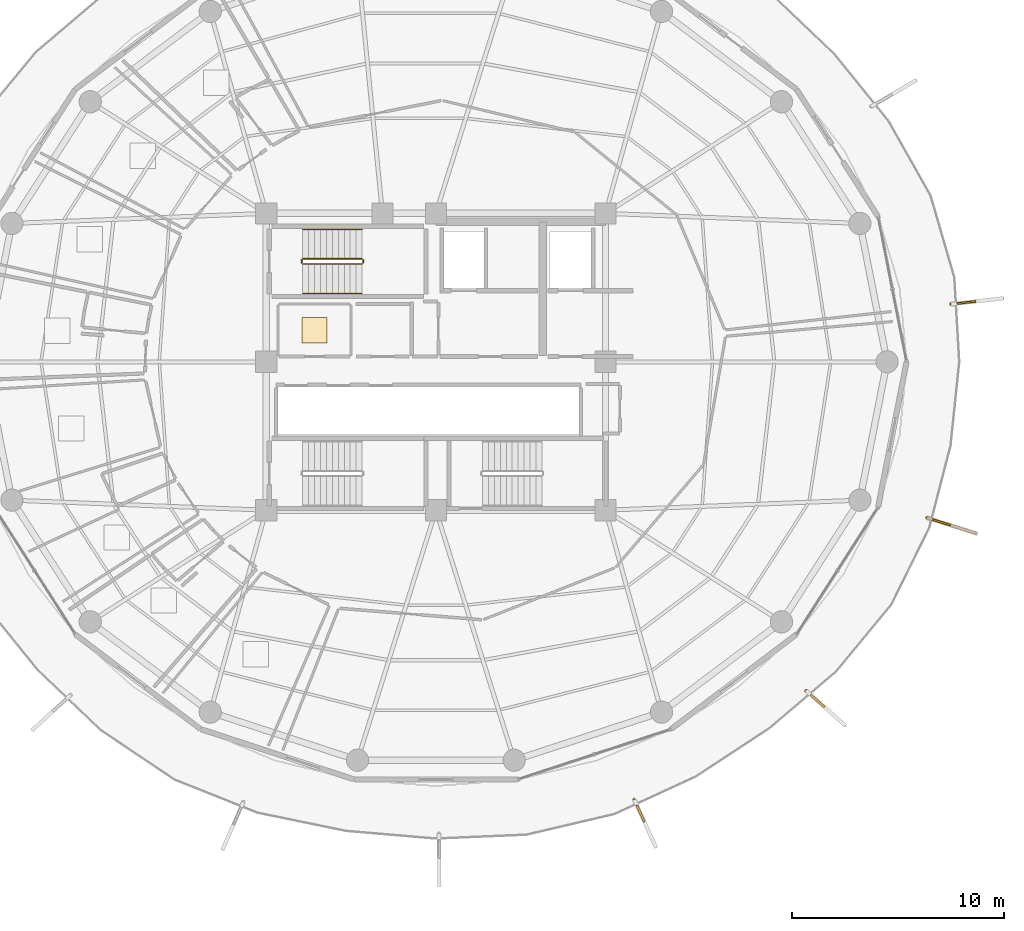
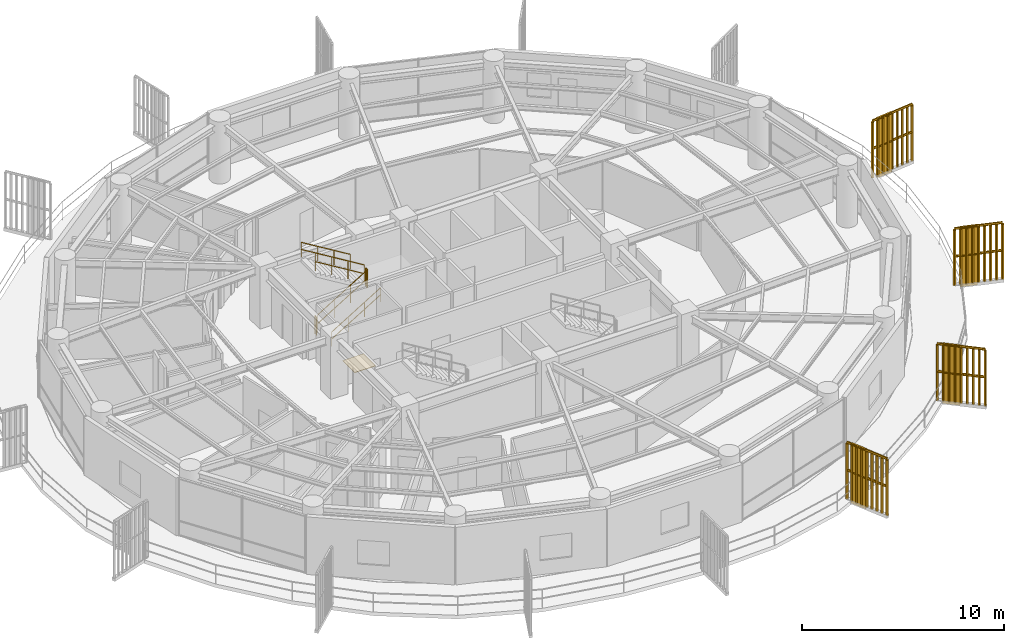
# One storey, part 30 of 31: 10 railings, 4 shading devices, 1 covering.
"""IFC4 building model written with IfcOpenShell, lengths in metres."""

from ifc_helpers import new_model, si_unit, direction, frame, origin, origin_2d, place, context, subcontext, project, spatial, polyline, rectangle, outline, extrude, source, transform, mapped, material, layer, layer_set, type_object, element, save


model = new_model("IFC4")

# Units and contexts
model_context = context("Model", 3, precision=1e-05, world=origin(), true_north=direction((0.0, 1.0)))
body_context = subcontext(model_context, "Body", "Model", "MODEL_VIEW")
ifc_project = project(units=[si_unit("LENGTHUNIT", "METRE"), si_unit("AREAUNIT", "SQUARE_METRE"), si_unit("VOLUMEUNIT", "CUBIC_METRE"), si_unit("PLANEANGLEUNIT", "RADIAN"), si_unit("MASSUNIT", "GRAM", prefix="KILO")], contexts=[model_context])

# Site, building, storey
site_placement = place(None, origin())
site = spatial("IfcSite", under=ifc_project, at=site_placement, CompositionType="ELEMENT")
building_placement = place(site_placement, origin())
building = spatial("IfcBuilding", under=site, at=building_placement, Name="Kelanora Arch Commons", CompositionType="ELEMENT")
storey_placement = place(building_placement, frame((0.0, 0.0, 230.699951171875)))
storey = spatial("IfcBuildingStorey", under=building, at=storey_placement, Name="L59", CompositionType="ELEMENT", Elevation=230.699951171875)

# Railings
ifc_material_1 = material(Name="Anodised bronze vertical shading fin rib assembly")
railing_type_1 = type_object("IfcRailingType", Name="RAIL-FIN-BRZ", PredefinedType="BALUSTRADE", material=ifc_material_1)
railing_1_placement = place(storey_placement, frame((91.463134765625, 42.484619140625, -0.02001953125)))
element("IfcRailing", 1, at=railing_1_placement, inside=storey, type_object=railing_type_1, Name="Sweeping Bronze Vertical Fin Blade L59-00", PredefinedType="BALUSTRADE", context=body_context, shape_type="SweptSolid", body=[
    extrude(outline(polyline([(0.06982421875, 0.0), (0.034912109375, 0.060546875), (-0.034912109375, 0.060546875), (-0.06982421875, 0.0), (-0.034912109375, -0.060546875), (0.034912109375, -0.060546875), (0.06982421875, 0.0)])), frame((0.0, 0.0, 3.419921875), z_axis=(0.747542401607, -0.664214090335, 0.0), x_axis=(0.664214090335, 0.747542401607, 0.0)), (0.0, 0.0, 1.0), 2.428955078125),
    extrude(outline(polyline([(0.06982421875, 0.0), (0.034912109375, 0.060546875), (-0.034912109375, 0.060546875), (-0.06982421875, 0.0), (-0.034912109375, -0.060546875), (0.034912109375, -0.060546875), (0.06982421875, 0.0)])), frame((0.0, 0.0, 1.7451171875), z_axis=(0.747542401607, -0.664214090335, 0.0), x_axis=(0.664214090335, 0.747542401607, 0.0)), (0.0, 0.0, 1.0), 2.428955078125),
    extrude(outline(polyline([(0.080078125, 0.0), (0.0400390625, 0.0693359375), (-0.0400390625, 0.0693359375), (-0.080078125, 0.0), (-0.0400390625, -0.0693359375), (0.0400390625, -0.0693359375), (0.080078125, 0.0)])), origin(), (0.0, 0.0, 1.0), 3.35009765625),
    extrude(outline(polyline([(0.080078125, 0.0), (0.0400390625, 0.0693359375), (-0.0400390625, 0.0693359375), (-0.080078125, 0.0), (-0.0400390625, -0.0693359375), (0.0400390625, -0.0693359375), (0.080078125, 0.0)])), frame((0.22705078125, -0.20166015625, 0.0)), (0.0, 0.0, 1.0), 3.35009765625),
    extrude(outline(polyline([(0.080078125, 0.0), (0.0400390625, 0.0693359375), (-0.0400390625, 0.0693359375), (-0.080078125, 0.0), (-0.0400390625, -0.0693359375), (0.0400390625, -0.0693359375), (0.080078125, 0.0)])), frame((0.453857421875, -0.4033203125, 0.0)), (0.0, 0.0, 1.0), 3.35009765625),
    extrude(outline(polyline([(0.080078125, 0.0), (0.0400390625, 0.0693359375), (-0.0400390625, 0.0693359375), (-0.080078125, 0.0), (-0.0400390625, -0.0693359375), (0.0400390625, -0.0693359375), (0.080078125, 0.0)])), frame((0.680908203125, -0.60498046875, 0.0)), (0.0, 0.0, 1.0), 3.35009765625),
    extrude(outline(polyline([(0.080078125, 0.0), (0.0400390625, 0.0693359375), (-0.0400390625, 0.0693359375), (-0.080078125, 0.0), (-0.0400390625, -0.0693359375), (0.0400390625, -0.0693359375), (0.080078125, 0.0)])), frame((0.90771484375, -0.806640625, 0.0)), (0.0, 0.0, 1.0), 3.35009765625),
    extrude(outline(polyline([(0.080078125, 0.0), (0.0400390625, 0.0693359375), (-0.0400390625, 0.0693359375), (-0.080078125, 0.0), (-0.0400390625, -0.0693359375), (0.0400390625, -0.0693359375), (0.080078125, 0.0)])), frame((1.134765625, -1.00830078125, 0.0)), (0.0, 0.0, 1.0), 3.35009765625),
    extrude(outline(polyline([(0.080078125, 0.0), (0.0400390625, 0.0693359375), (-0.0400390625, 0.0693359375), (-0.080078125, 0.0), (-0.0400390625, -0.0693359375), (0.0400390625, -0.0693359375), (0.080078125, 0.0)])), frame((1.36181640625, -1.2099609375, 0.0)), (0.0, 0.0, 1.0), 3.35009765625),
    extrude(outline(polyline([(0.080078125, 0.0), (0.0400390625, 0.0693359375), (-0.0400390625, 0.0693359375), (-0.080078125, 0.0), (-0.0400390625, -0.0693359375), (0.0400390625, -0.0693359375), (0.080078125, 0.0)])), frame((1.588623046875, -1.41162109375, 0.0)), (0.0, 0.0, 1.0), 3.35009765625),
    extrude(outline(polyline([(0.080078125, 0.0), (0.0400390625, 0.0693359375), (-0.0400390625, 0.0693359375), (-0.080078125, 0.0), (-0.0400390625, -0.0693359375), (0.0400390625, -0.0693359375), (0.080078125, 0.0)])), frame((1.815673828125, -1.61328125, 0.0)), (0.0, 0.0, 1.0), 3.35009765625),
])
railing_2_placement = place(storey_placement, frame((97.160888671875, 50.64404296875, -0.02001953125)))
element("IfcRailing", 2, at=railing_2_placement, inside=storey, type_object=railing_type_1, Name="Sweeping Bronze Vertical Fin Blade L59-01", PredefinedType="BALUSTRADE", context=body_context, shape_type="SweptSolid", body=[
    extrude(outline(polyline([(0.06982421875, 0.0), (0.034912109375, 0.060546875), (-0.034912109375, 0.060546875), (-0.06982421875, 0.0), (-0.034912109375, -0.060546875), (0.034912109375, -0.060546875), (0.06982421875, 0.0)])), frame((0.0, 0.0, 3.419921875), z_axis=(0.953070878139, -0.302747256376, 0.0), x_axis=(0.302747256376, 0.953070878139, 0.0)), (0.0, 0.0, 1.0), 2.428955078125),
    extrude(outline(polyline([(0.06982421875, 0.0), (0.034912109375, 0.060546875), (-0.034912109375, 0.060546875), (-0.06982421875, 0.0), (-0.034912109375, -0.060546875), (0.034912109375, -0.060546875), (0.06982421875, 0.0)])), frame((0.0, 0.0, 1.7451171875), z_axis=(0.953070878139, -0.302747256376, 0.0), x_axis=(0.302747256376, 0.953070878139, 0.0)), (0.0, 0.0, 1.0), 2.428955078125),
    extrude(outline(polyline([(0.080078125, 0.0), (0.0400390625, 0.0693359375), (-0.0400390625, 0.0693359375), (-0.080078125, 0.0), (-0.0400390625, -0.0693359375), (0.0400390625, -0.0693359375), (0.080078125, 0.0)])), origin(), (0.0, 0.0, 1.0), 3.35009765625),
    extrude(outline(polyline([(0.080078125, 0.0), (0.0400390625, 0.0693359375), (-0.0400390625, 0.0693359375), (-0.080078125, 0.0), (-0.0400390625, -0.0693359375), (0.0400390625, -0.0693359375), (0.080078125, 0.0)])), frame((0.289306640625, -0.091796875, 0.0)), (0.0, 0.0, 1.0), 3.35009765625),
    extrude(outline(polyline([(0.080078125, 0.0), (0.0400390625, 0.0693359375), (-0.0400390625, 0.0693359375), (-0.080078125, 0.0), (-0.0400390625, -0.0693359375), (0.0400390625, -0.0693359375), (0.080078125, 0.0)])), frame((0.57861328125, -0.183837890625, 0.0)), (0.0, 0.0, 1.0), 3.35009765625),
    extrude(outline(polyline([(0.080078125, 0.0), (0.0400390625, 0.0693359375), (-0.0400390625, 0.0693359375), (-0.080078125, 0.0), (-0.0400390625, -0.0693359375), (0.0400390625, -0.0693359375), (0.080078125, 0.0)])), frame((0.8681640625, -0.27587890625, 0.0)), (0.0, 0.0, 1.0), 3.35009765625),
    extrude(outline(polyline([(0.080078125, 0.0), (0.0400390625, 0.0693359375), (-0.0400390625, 0.0693359375), (-0.080078125, 0.0), (-0.0400390625, -0.0693359375), (0.0400390625, -0.0693359375), (0.080078125, 0.0)])), frame((1.157470703125, -0.36767578125, 0.0)), (0.0, 0.0, 1.0), 3.35009765625),
    extrude(outline(polyline([(0.080078125, 0.0), (0.0400390625, 0.0693359375), (-0.0400390625, 0.0693359375), (-0.080078125, 0.0), (-0.0400390625, -0.0693359375), (0.0400390625, -0.0693359375), (0.080078125, 0.0)])), frame((1.44677734375, -0.45947265625, 0.0)), (0.0, 0.0, 1.0), 3.35009765625),
    extrude(outline(polyline([(0.080078125, 0.0), (0.0400390625, 0.0693359375), (-0.0400390625, 0.0693359375), (-0.080078125, 0.0), (-0.0400390625, -0.0693359375), (0.0400390625, -0.0693359375), (0.080078125, 0.0)])), frame((1.736328125, -0.551513671875, 0.0)), (0.0, 0.0, 1.0), 3.35009765625),
    extrude(outline(polyline([(0.080078125, 0.0), (0.0400390625, 0.0693359375), (-0.0400390625, 0.0693359375), (-0.080078125, 0.0), (-0.0400390625, -0.0693359375), (0.0400390625, -0.0693359375), (0.080078125, 0.0)])), frame((2.025634765625, -0.6435546875, 0.0)), (0.0, 0.0, 1.0), 3.35009765625),
    extrude(outline(polyline([(0.080078125, 0.0), (0.0400390625, 0.0693359375), (-0.0400390625, 0.0693359375), (-0.080078125, 0.0), (-0.0400390625, -0.0693359375), (0.0400390625, -0.0693359375), (0.080078125, 0.0)])), frame((2.31494140625, -0.7353515625, 0.0)), (0.0, 0.0, 1.0), 3.35009765625),
])
railing_3_placement = place(storey_placement, frame((98.30078125, 60.71728515625, -0.02001953125)))
element("IfcRailing", 3, at=railing_3_placement, inside=storey, type_object=railing_type_1, Name="Sweeping Bronze Vertical Fin Blade L59-02", PredefinedType="BALUSTRADE", context=body_context, shape_type="SweptSolid", body=[
    extrude(outline(polyline([(0.06982421875, 0.0), (0.034912109375, 0.060546875), (-0.034912109375, 0.060546875), (-0.06982421875, 0.0), (-0.034912109375, -0.060546875), (0.034912109375, -0.060546875), (0.06982421875, 0.0)])), frame((0.0, 0.0, 3.419921875), z_axis=(0.993812431241, 0.111071380249, 0.0), x_axis=(-0.111071380249, 0.993812431241, 0.0)), (0.0, 0.0, 1.0), 2.428955078125),
    extrude(outline(polyline([(0.06982421875, 0.0), (0.034912109375, 0.060546875), (-0.034912109375, 0.060546875), (-0.06982421875, 0.0), (-0.034912109375, -0.060546875), (0.034912109375, -0.060546875), (0.06982421875, 0.0)])), frame((0.0, 0.0, 1.7451171875), z_axis=(0.993812431241, 0.111071380249, 0.0), x_axis=(-0.111071380249, 0.993812431241, 0.0)), (0.0, 0.0, 1.0), 2.428955078125),
    extrude(outline(polyline([(0.080078125, 0.0), (0.0400390625, 0.0693359375), (-0.0400390625, 0.0693359375), (-0.080078125, 0.0), (-0.0400390625, -0.0693359375), (0.0400390625, -0.0693359375), (0.080078125, 0.0)])), origin(), (0.0, 0.0, 1.0), 3.35009765625),
    extrude(outline(polyline([(0.080078125, 0.0), (0.0400390625, 0.0693359375), (-0.0400390625, 0.0693359375), (-0.080078125, 0.0), (-0.0400390625, -0.0693359375), (0.0400390625, -0.0693359375), (0.080078125, 0.0)])), frame((0.3017578125, 0.03369140625, 0.0)), (0.0, 0.0, 1.0), 3.35009765625),
    extrude(outline(polyline([(0.080078125, 0.0), (0.0400390625, 0.0693359375), (-0.0400390625, 0.0693359375), (-0.080078125, 0.0), (-0.0400390625, -0.0693359375), (0.0400390625, -0.0693359375), (0.080078125, 0.0)])), frame((0.603515625, 0.0673828125, 0.0)), (0.0, 0.0, 1.0), 3.35009765625),
    extrude(outline(polyline([(0.080078125, 0.0), (0.0400390625, 0.0693359375), (-0.0400390625, 0.0693359375), (-0.080078125, 0.0), (-0.0400390625, -0.0693359375), (0.0400390625, -0.0693359375), (0.080078125, 0.0)])), frame((0.9052734375, 0.10107421875, 0.0)), (0.0, 0.0, 1.0), 3.35009765625),
    extrude(outline(polyline([(0.080078125, 0.0), (0.0400390625, 0.0693359375), (-0.0400390625, 0.0693359375), (-0.080078125, 0.0), (-0.0400390625, -0.0693359375), (0.0400390625, -0.0693359375), (0.080078125, 0.0)])), frame((1.20703125, 0.134765625, 0.0)), (0.0, 0.0, 1.0), 3.35009765625),
    extrude(outline(polyline([(0.080078125, 0.0), (0.0400390625, 0.0693359375), (-0.0400390625, 0.0693359375), (-0.080078125, 0.0), (-0.0400390625, -0.0693359375), (0.0400390625, -0.0693359375), (0.080078125, 0.0)])), frame((1.508544921875, 0.168701171875, 0.0)), (0.0, 0.0, 1.0), 3.35009765625),
    extrude(outline(polyline([(0.080078125, 0.0), (0.0400390625, 0.0693359375), (-0.0400390625, 0.0693359375), (-0.080078125, 0.0), (-0.0400390625, -0.0693359375), (0.0400390625, -0.0693359375), (0.080078125, 0.0)])), frame((1.810302734375, 0.202392578125, 0.0)), (0.0, 0.0, 1.0), 3.35009765625),
    extrude(outline(polyline([(0.080078125, 0.0), (0.0400390625, 0.0693359375), (-0.0400390625, 0.0693359375), (-0.080078125, 0.0), (-0.0400390625, -0.0693359375), (0.0400390625, -0.0693359375), (0.080078125, 0.0)])), frame((2.112060546875, 0.236083984375, 0.0)), (0.0, 0.0, 1.0), 3.35009765625),
    extrude(outline(polyline([(0.080078125, 0.0), (0.0400390625, 0.0693359375), (-0.0400390625, 0.0693359375), (-0.080078125, 0.0), (-0.0400390625, -0.0693359375), (0.0400390625, -0.0693359375), (0.080078125, 0.0)])), frame((2.413818359375, 0.269775390625, 0.0)), (0.0, 0.0, 1.0), 3.35009765625),
])
railing_4_placement = place(storey_placement, frame((83.35791015625, 37.351806640625, -0.02001953125)))
element("IfcRailing", 4, at=railing_4_placement, inside=storey, type_object=railing_type_1, Name="Sweeping Bronze Vertical Fin Blade L59-14", PredefinedType="BALUSTRADE", context=body_context, shape_type="SweptSolid", body=[
    extrude(outline(polyline([(0.06982421875, 0.0), (0.034912109375, 0.060546875), (-0.034912109375, 0.060546875), (-0.06982421875, 0.0), (-0.034912109375, -0.060546875), (0.034912109375, -0.060546875), (0.06982421875, 0.0)])), frame((0.0, 0.0, 3.419921875), z_axis=(0.412712134996, -0.910861511772, 0.0), x_axis=(0.910861511772, 0.412712134996, 0.0)), (0.0, 0.0, 1.0), 2.428955078125),
    extrude(outline(polyline([(0.06982421875, 0.0), (0.034912109375, 0.060546875), (-0.034912109375, 0.060546875), (-0.06982421875, 0.0), (-0.034912109375, -0.060546875), (0.034912109375, -0.060546875), (0.06982421875, 0.0)])), frame((0.0, 0.0, 1.7451171875), z_axis=(0.412712134996, -0.910861511772, 0.0), x_axis=(0.910861511772, 0.412712134996, 0.0)), (0.0, 0.0, 1.0), 2.428955078125),
    extrude(outline(polyline([(0.080078125, 0.0), (0.0400390625, 0.0693359375), (-0.0400390625, 0.0693359375), (-0.080078125, 0.0), (-0.0400390625, -0.0693359375), (0.0400390625, -0.0693359375), (0.080078125, 0.0)])), origin(), (0.0, 0.0, 1.0), 3.35009765625),
    extrude(outline(polyline([(0.080078125, 0.0), (0.0400390625, 0.0693359375), (-0.0400390625, 0.0693359375), (-0.080078125, 0.0), (-0.0400390625, -0.0693359375), (0.0400390625, -0.0693359375), (0.080078125, 0.0)])), frame((0.125244140625, -0.276611328125, 0.0)), (0.0, 0.0, 1.0), 3.35009765625),
    extrude(outline(polyline([(0.080078125, 0.0), (0.0400390625, 0.0693359375), (-0.0400390625, 0.0693359375), (-0.080078125, 0.0), (-0.0400390625, -0.0693359375), (0.0400390625, -0.0693359375), (0.080078125, 0.0)])), frame((0.25048828125, -0.55322265625, 0.0)), (0.0, 0.0, 1.0), 3.35009765625),
    extrude(outline(polyline([(0.080078125, 0.0), (0.0400390625, 0.0693359375), (-0.0400390625, 0.0693359375), (-0.080078125, 0.0), (-0.0400390625, -0.0693359375), (0.0400390625, -0.0693359375), (0.080078125, 0.0)])), frame((0.3759765625, -0.82958984375, 0.0)), (0.0, 0.0, 1.0), 3.35009765625),
    extrude(outline(polyline([(0.080078125, 0.0), (0.0400390625, 0.0693359375), (-0.0400390625, 0.0693359375), (-0.080078125, 0.0), (-0.0400390625, -0.0693359375), (0.0400390625, -0.0693359375), (0.080078125, 0.0)])), frame((0.501220703125, -1.106201171875, 0.0)), (0.0, 0.0, 1.0), 3.35009765625),
    extrude(outline(polyline([(0.080078125, 0.0), (0.0400390625, 0.0693359375), (-0.0400390625, 0.0693359375), (-0.080078125, 0.0), (-0.0400390625, -0.0693359375), (0.0400390625, -0.0693359375), (0.080078125, 0.0)])), frame((0.62646484375, -1.3828125, 0.0)), (0.0, 0.0, 1.0), 3.35009765625),
    extrude(outline(polyline([(0.080078125, 0.0), (0.0400390625, 0.0693359375), (-0.0400390625, 0.0693359375), (-0.080078125, 0.0), (-0.0400390625, -0.0693359375), (0.0400390625, -0.0693359375), (0.080078125, 0.0)])), frame((0.751953125, -1.6591796875, 0.0)), (0.0, 0.0, 1.0), 3.35009765625),
    extrude(outline(polyline([(0.080078125, 0.0), (0.0400390625, 0.0693359375), (-0.0400390625, 0.0693359375), (-0.080078125, 0.0), (-0.0400390625, -0.0693359375), (0.0400390625, -0.0693359375), (0.080078125, 0.0)])), frame((0.877197265625, -1.935791015625, 0.0)), (0.0, 0.0, 1.0), 3.35009765625),
    extrude(outline(polyline([(0.080078125, 0.0), (0.0400390625, 0.0693359375), (-0.0400390625, 0.0693359375), (-0.080078125, 0.0), (-0.0400390625, -0.0693359375), (0.0400390625, -0.0693359375), (0.080078125, 0.0)])), frame((1.00244140625, -2.21240234375, 0.0)), (0.0, 0.0, 1.0), 3.35009765625),
])
ifc_material_2 = material(Name="Painted steel stair well guard", Category="steel")
railing_type_2 = type_object("IfcRailingType", Name="RAIL-STAIR-GRD", PredefinedType="GUARDRAIL", material=ifc_material_2)
railing_5_placement = place(storey_placement, frame((67.719970703125, 62.610107421875, 0.17041015625)))
element("IfcRailing", 5, at=railing_5_placement, inside=storey, type_object=railing_type_2, Name="L59 ST-T1 stair guard 1", PredefinedType="GUARDRAIL", context=body_context, shape_type="SweptSolid", body=[
    extrude(outline(polyline([(0.02392578125, 0.0), (0.011962890625, 0.020751953125), (-0.011962890625, 0.020751953125), (-0.02392578125, 0.0), (-0.011962890625, -0.020751953125), (0.011962890625, -0.020751953125), (0.02392578125, 0.0)])), frame((0.0, 0.0, 1.076171875), z_axis=(0.854169791009, 0.0, 0.51999420009), x_axis=(0.0, 1.0, 0.0)), (0.0, 0.0, 1.0), 3.278076171875),
    extrude(outline(polyline([(0.02392578125, 0.0), (0.011962890625, 0.020751953125), (-0.011962890625, 0.020751953125), (-0.02392578125, 0.0), (-0.011962890625, -0.020751953125), (0.011962890625, -0.020751953125), (0.02392578125, 0.0)])), frame((0.0, 0.0, 0.550048828125), z_axis=(0.854169791009, 0.0, 0.51999420009), x_axis=(0.0, 1.0, 0.0)), (0.0, 0.0, 1.0), 3.278076171875),
    extrude(outline(polyline([(0.02099609375, 0.0), (0.010498046875, 0.01806640625), (-0.010498046875, 0.01806640625), (-0.02099609375, 0.0), (-0.010498046875, -0.01806640625), (0.010498046875, -0.01806640625), (0.02099609375, 0.0)])), origin(), (0.0, 0.0, 1.0), 1.052001953125),
    extrude(outline(polyline([(0.02099609375, 0.0), (0.010498046875, 0.01806640625), (-0.010498046875, 0.01806640625), (-0.02099609375, 0.0), (-0.010498046875, -0.01806640625), (0.010498046875, -0.01806640625), (0.02099609375, 0.0)])), frame((0.933349609375, 0.0, 0.568115234375)), (0.0, 0.0, 1.0), 1.052001953125),
    extrude(outline(polyline([(0.02099609375, 0.0), (0.010498046875, 0.01806640625), (-0.010498046875, 0.01806640625), (-0.02099609375, 0.0), (-0.010498046875, -0.01806640625), (0.010498046875, -0.01806640625), (0.02099609375, 0.0)])), frame((1.86669921875, 0.0, 1.136474609375)), (0.0, 0.0, 1.0), 1.052001953125),
    extrude(outline(polyline([(0.02099609375, 0.0), (0.010498046875, 0.01806640625), (-0.010498046875, 0.01806640625), (-0.02099609375, 0.0), (-0.010498046875, -0.01806640625), (0.010498046875, -0.01806640625), (0.02099609375, 0.0)])), frame((2.800048828125, 0.0, 1.70458984375)), (0.0, 0.0, 1.0), 1.052001953125),
])
railing_6_placement = place(storey_placement, frame((70.570068359375, 62.659912109375, 1.875)))
element("IfcRailing", 6, at=railing_6_placement, inside=storey, type_object=railing_type_2, Name="L59 ST-T1 stair guard 2", PredefinedType="GUARDRAIL", context=body_context, shape_type="SweptSolid", body=[
    extrude(outline(polyline([(0.02392578125, 0.0), (0.011962890625, 0.020751953125), (-0.011962890625, 0.020751953125), (-0.02392578125, 0.0), (-0.011962890625, -0.020751953125), (0.011962890625, -0.020751953125), (0.02392578125, 0.0)])), frame((0.0, 0.0, 1.076171875), z_axis=(0.0, 1.0, 0.0), x_axis=(-1.0, 0.0, 0.0)), (0.0, 0.0, 1.0), 0.150146484375),
    extrude(outline(polyline([(0.02392578125, 0.0), (0.011962890625, 0.020751953125), (-0.011962890625, 0.020751953125), (-0.02392578125, 0.0), (-0.011962890625, -0.020751953125), (0.011962890625, -0.020751953125), (0.02392578125, 0.0)])), frame((0.0, 0.0, 0.550048828125), z_axis=(0.0, 1.0, 0.0), x_axis=(-1.0, 0.0, 0.0)), (0.0, 0.0, 1.0), 0.150146484375),
    extrude(outline(polyline([(0.02099609375, 0.0), (0.010498046875, 0.01806640625), (-0.010498046875, 0.01806640625), (-0.02099609375, 0.0), (-0.010498046875, -0.01806640625), (0.010498046875, -0.01806640625), (0.02099609375, 0.0)])), origin(), (0.0, 0.0, 1.0), 1.052001953125),
    extrude(outline(polyline([(0.02099609375, 0.0), (0.010498046875, 0.01806640625), (-0.010498046875, 0.01806640625), (-0.02099609375, 0.0), (-0.010498046875, -0.01806640625), (0.010498046875, -0.01806640625), (0.02099609375, 0.0)])), frame((0.0, 0.150146484375, 0.0)), (0.0, 0.0, 1.0), 1.052001953125),
])
railing_7_placement = place(storey_placement, frame((70.52001953125, 62.860107421875, 2.04541015625)))
element("IfcRailing", 7, at=railing_7_placement, inside=storey, type_object=railing_type_2, Name="L59 ST-T1 stair guard 3", PredefinedType="GUARDRAIL", context=body_context, shape_type="SweptSolid", body=[
    extrude(outline(polyline([(0.02392578125, 0.0), (0.011962890625, 0.020751953125), (-0.011962890625, 0.020751953125), (-0.02392578125, 0.0), (-0.011962890625, -0.020751953125), (0.011962890625, -0.020751953125), (0.02392578125, 0.0)])), frame((0.0, 0.0, 1.076171875), z_axis=(-0.854169791009, 0.0, 0.51999420009), x_axis=(0.0, -1.0, 0.0)), (0.0, 0.0, 1.0), 3.278076171875),
    extrude(outline(polyline([(0.02392578125, 0.0), (0.011962890625, 0.020751953125), (-0.011962890625, 0.020751953125), (-0.02392578125, 0.0), (-0.011962890625, -0.020751953125), (0.011962890625, -0.020751953125), (0.02392578125, 0.0)])), frame((0.0, 0.0, 0.550048828125), z_axis=(-0.854169791009, 0.0, 0.51999420009), x_axis=(0.0, -1.0, 0.0)), (0.0, 0.0, 1.0), 3.278076171875),
    extrude(outline(polyline([(0.02099609375, 0.0), (0.010498046875, 0.01806640625), (-0.010498046875, 0.01806640625), (-0.02099609375, 0.0), (-0.010498046875, -0.01806640625), (0.010498046875, -0.01806640625), (0.02099609375, 0.0)])), origin(), (0.0, 0.0, 1.0), 1.052001953125),
    extrude(outline(polyline([(0.02099609375, 0.0), (0.010498046875, 0.01806640625), (-0.010498046875, 0.01806640625), (-0.02099609375, 0.0), (-0.010498046875, -0.01806640625), (0.010498046875, -0.01806640625), (0.02099609375, 0.0)])), frame((-0.933349609375, 0.0, 0.568115234375)), (0.0, 0.0, 1.0), 1.052001953125),
    extrude(outline(polyline([(0.02099609375, 0.0), (0.010498046875, 0.01806640625), (-0.010498046875, 0.01806640625), (-0.02099609375, 0.0), (-0.010498046875, -0.01806640625), (0.010498046875, -0.01806640625), (0.02099609375, 0.0)])), frame((-1.86669921875, 0.0, 1.136474609375)), (0.0, 0.0, 1.0), 1.052001953125),
    extrude(outline(polyline([(0.02099609375, 0.0), (0.010498046875, 0.01806640625), (-0.010498046875, 0.01806640625), (-0.02099609375, 0.0), (-0.010498046875, -0.01806640625), (0.010498046875, -0.01806640625), (0.02099609375, 0.0)])), frame((-2.800048828125, 0.0, 1.70458984375)), (0.0, 0.0, 1.0), 1.052001953125),
])
railing_8_placement = place(storey_placement, frame((67.669921875, 62.659912109375, 0.0)))
element("IfcRailing", 8, at=railing_8_placement, inside=storey, type_object=railing_type_2, Name="L59 ST-T1 stair guard 4", PredefinedType="GUARDRAIL", context=body_context, shape_type="SweptSolid", body=[
    extrude(outline(polyline([(0.02392578125, 0.0), (0.011962890625, 0.020751953125), (-0.011962890625, 0.020751953125), (-0.02392578125, 0.0), (-0.011962890625, -0.020751953125), (0.011962890625, -0.020751953125), (0.02392578125, 0.0)])), frame((0.0, 0.0, 1.076171875), z_axis=(0.0, 1.0, 0.0), x_axis=(-1.0, 0.0, 0.0)), (0.0, 0.0, 1.0), 0.150146484375),
    extrude(outline(polyline([(0.02392578125, 0.0), (0.011962890625, 0.020751953125), (-0.011962890625, 0.020751953125), (-0.02392578125, 0.0), (-0.011962890625, -0.020751953125), (0.011962890625, -0.020751953125), (0.02392578125, 0.0)])), frame((0.0, 0.0, 0.550048828125), z_axis=(0.0, 1.0, 0.0), x_axis=(-1.0, 0.0, 0.0)), (0.0, 0.0, 1.0), 0.150146484375),
    extrude(outline(polyline([(0.02099609375, 0.0), (0.010498046875, 0.01806640625), (-0.010498046875, 0.01806640625), (-0.02099609375, 0.0), (-0.010498046875, -0.01806640625), (0.010498046875, -0.01806640625), (0.02099609375, 0.0)])), origin(), (0.0, 0.0, 1.0), 1.052001953125),
    extrude(outline(polyline([(0.02099609375, 0.0), (0.010498046875, 0.01806640625), (-0.010498046875, 0.01806640625), (-0.02099609375, 0.0), (-0.010498046875, -0.01806640625), (0.010498046875, -0.01806640625), (0.02099609375, 0.0)])), frame((0.0, 0.150146484375, 0.0)), (0.0, 0.0, 1.0), 1.052001953125),
])
ifc_material_3 = material(Name="Brushed stainless steel stair handrail", Category="steel")
railing_type_3 = type_object("IfcRailingType", Name="RAIL-STAIR-HND", PredefinedType="HANDRAIL", material=ifc_material_3)
railing_9_placement = place(storey_placement, frame((67.719970703125, 61.22998046875, 0.17041015625)))
element("IfcRailing", 9, at=railing_9_placement, inside=storey, type_object=railing_type_3, Name="L59 ST-T1 stair handrail 1", PredefinedType="HANDRAIL", context=body_context, shape_type="SweptSolid", body=[
    extrude(outline(polyline([(0.02392578125, 0.0), (0.011962890625, 0.020751953125), (-0.011962890625, 0.020751953125), (-0.02392578125, 0.0), (-0.011962890625, -0.020751953125), (0.011962890625, -0.020751953125), (0.02392578125, 0.0)])), frame((0.0, 0.0, 0.8759765625), z_axis=(0.854169791009, 0.0, 0.51999420009), x_axis=(0.0, 1.0, 0.0)), (0.0, 0.0, 1.0), 3.278076171875),
    extrude(outline(polyline([(0.02392578125, 0.0), (0.011962890625, 0.020751953125), (-0.011962890625, 0.020751953125), (-0.02392578125, 0.0), (-0.011962890625, -0.020751953125), (0.011962890625, -0.020751953125), (0.02392578125, 0.0)])), frame((0.0, 0.0, 0.449951171875), z_axis=(0.854169791009, 0.0, 0.51999420009), x_axis=(0.0, 1.0, 0.0)), (0.0, 0.0, 1.0), 3.278076171875),
    extrude(outline(polyline([(0.02099609375, 0.0), (0.010498046875, 0.01806640625), (-0.010498046875, 0.01806640625), (-0.02099609375, 0.0), (-0.010498046875, -0.01806640625), (0.010498046875, -0.01806640625), (0.02099609375, 0.0)])), origin(), (0.0, 0.0, 1.0), 0.851806640625),
    extrude(outline(polyline([(0.02099609375, 0.0), (0.010498046875, 0.01806640625), (-0.010498046875, 0.01806640625), (-0.02099609375, 0.0), (-0.010498046875, -0.01806640625), (0.010498046875, -0.01806640625), (0.02099609375, 0.0)])), frame((0.933349609375, 0.0, 0.568115234375)), (0.0, 0.0, 1.0), 0.851806640625),
    extrude(outline(polyline([(0.02099609375, 0.0), (0.010498046875, 0.01806640625), (-0.010498046875, 0.01806640625), (-0.02099609375, 0.0), (-0.010498046875, -0.01806640625), (0.010498046875, -0.01806640625), (0.02099609375, 0.0)])), frame((1.86669921875, 0.0, 1.136474609375)), (0.0, 0.0, 1.0), 0.851806640625),
    extrude(outline(polyline([(0.02099609375, 0.0), (0.010498046875, 0.01806640625), (-0.010498046875, 0.01806640625), (-0.02099609375, 0.0), (-0.010498046875, -0.01806640625), (0.010498046875, -0.01806640625), (0.02099609375, 0.0)])), frame((2.800048828125, 0.0, 1.70458984375)), (0.0, 0.0, 1.0), 0.851806640625),
])
railing_10_placement = place(storey_placement, frame((70.52001953125, 64.239990234375, 2.04541015625)))
element("IfcRailing", 10, at=railing_10_placement, inside=storey, type_object=railing_type_3, Name="L59 ST-T1 stair handrail 2", PredefinedType="HANDRAIL", context=body_context, shape_type="SweptSolid", body=[
    extrude(outline(polyline([(0.02392578125, 0.0), (0.011962890625, 0.020751953125), (-0.011962890625, 0.020751953125), (-0.02392578125, 0.0), (-0.011962890625, -0.020751953125), (0.011962890625, -0.020751953125), (0.02392578125, 0.0)])), frame((0.0, 0.0, 0.8759765625), z_axis=(-0.854169791009, 0.0, 0.51999420009), x_axis=(0.0, -1.0, 0.0)), (0.0, 0.0, 1.0), 3.278076171875),
    extrude(outline(polyline([(0.02392578125, 0.0), (0.011962890625, 0.020751953125), (-0.011962890625, 0.020751953125), (-0.02392578125, 0.0), (-0.011962890625, -0.020751953125), (0.011962890625, -0.020751953125), (0.02392578125, 0.0)])), frame((0.0, 0.0, 0.449951171875), z_axis=(-0.854169791009, 0.0, 0.51999420009), x_axis=(0.0, -1.0, 0.0)), (0.0, 0.0, 1.0), 3.278076171875),
    extrude(outline(polyline([(0.02099609375, 0.0), (0.010498046875, 0.01806640625), (-0.010498046875, 0.01806640625), (-0.02099609375, 0.0), (-0.010498046875, -0.01806640625), (0.010498046875, -0.01806640625), (0.02099609375, 0.0)])), origin(), (0.0, 0.0, 1.0), 0.851806640625),
    extrude(outline(polyline([(0.02099609375, 0.0), (0.010498046875, 0.01806640625), (-0.010498046875, 0.01806640625), (-0.02099609375, 0.0), (-0.010498046875, -0.01806640625), (0.010498046875, -0.01806640625), (0.02099609375, 0.0)])), frame((-0.933349609375, 0.0, 0.568115234375)), (0.0, 0.0, 1.0), 0.851806640625),
    extrude(outline(polyline([(0.02099609375, 0.0), (0.010498046875, 0.01806640625), (-0.010498046875, 0.01806640625), (-0.02099609375, 0.0), (-0.010498046875, -0.01806640625), (0.010498046875, -0.01806640625), (0.02099609375, 0.0)])), frame((-1.86669921875, 0.0, 1.136474609375)), (0.0, 0.0, 1.0), 0.851806640625),
    extrude(outline(polyline([(0.02099609375, 0.0), (0.010498046875, 0.01806640625), (-0.010498046875, 0.01806640625), (-0.02099609375, 0.0), (-0.010498046875, -0.01806640625), (0.010498046875, -0.01806640625), (0.02099609375, 0.0)])), frame((-2.800048828125, 0.0, 1.70458984375)), (0.0, 0.0, 1.0), 0.851806640625),
])

# Shading devices
ifc_material_4 = material(Name="Terracotta ceramic-clad extruded aluminium fin", Category="masonry")
shading_device_type = type_object("IfcShadingDeviceType", Name="SHD-FIN-FLARE", PredefinedType="USERDEFINED", material=ifc_material_4)
shared_shape_1 = source(origin(), body_context, "Body", "SweptSolid", [
    extrude(rectangle(XDim=0.8798828125, YDim=0.090087890625, at=origin_2d()), origin(), (0.0, 0.0, 1.0), 3.610107421875),
])
for number, where, z_axis, x_axis, name in (
    (11, (92.00146484375, 42.00634765625, -0.14013671875), (0.0, 0.0, 1.0), (0.747566290977, -0.664187202975, 0.0), "Sweeping Terracotta Fin L59-00"),
    (12, (97.84716796875, 50.426025390625, -0.14013671875), (0.0, 0.0, 1.0), (0.95308506272, -0.302702598633, 0.0), "Sweeping Terracotta Fin L59-01"),
    (13, (99.0166015625, 60.797119140625, -0.14013671875), (0.0, 0.0, 1.0), (0.993806768614, 0.111122034978, 0.0), "Sweeping Terracotta Fin L59-02"),
    (14, (83.655029296875, 36.69580078125, -0.14013671875), (0.0, 0.0, 1.0), (0.412786516097, -0.91082780597, 0.0), "Sweeping Terracotta Fin L59-14"),
):
    element("IfcShadingDevice", number, at=place(storey_placement, frame(where, z_axis=z_axis, x_axis=x_axis)), inside=storey, type_object=shading_device_type, Name=name, ObjectType="FIN", PredefinedType="USERDEFINED", context=body_context, shape_type="MappedRepresentation", body=[
        mapped(shared_shape_1, transform((0.0, 0.0, 0.0), scale=1.0)),
    ])

# Covering
ifc_material_5 = material(Name="Polished local granite terrazzo flooring", Category="masonry")
ifc_layer = layer(ifc_material_5, 0.030029296875)
ifc_layer_set = layer_set([ifc_layer], Name="Polished local granite terrazzo flooring")
covering_type = type_object("IfcCoveringType", Name="COV-FLR-TER", PredefinedType="FLOORING", material=ifc_layer_set)
shared_shape_2 = source(origin(), body_context, "Body", "SweptSolid", [
    extrude(rectangle(XDim=1.199951171875, YDim=1.199951171875, at=origin_2d()), origin(), (0.0, 0.0, 1.0), 0.030029296875),
])
covering_placement = place(storey_placement, frame((68.27490234375, 59.485107421875, 0.0), z_axis=(0.0, 0.0, 1.0), x_axis=(1.0, 0.0, 0.0)))
element("IfcCovering", 15, at=covering_placement, inside=storey, type_object=covering_type, Name="Reclaimed Core Quiet Phone Booths L59 Terrazzo Finish", PredefinedType="FLOORING", context=body_context, shape_type="MappedRepresentation", body=[
    mapped(shared_shape_2, transform((0.0, 0.0, 0.0), scale=1.0)),
])

save(model, "model.ifc")
